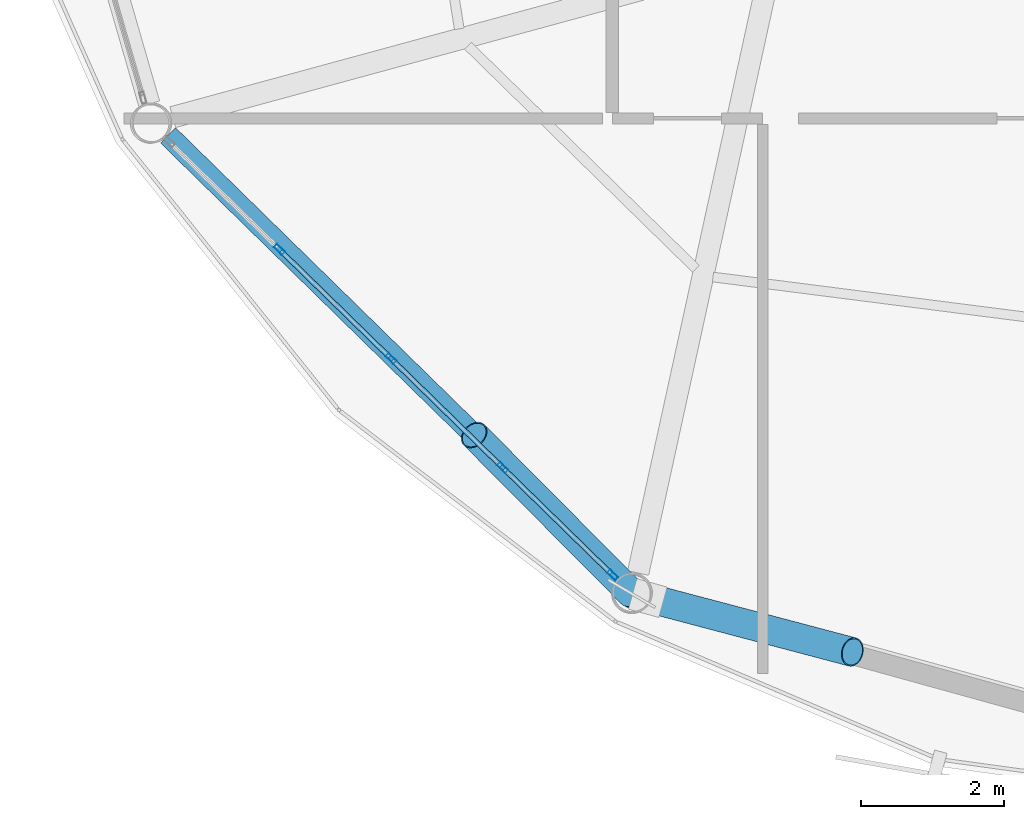
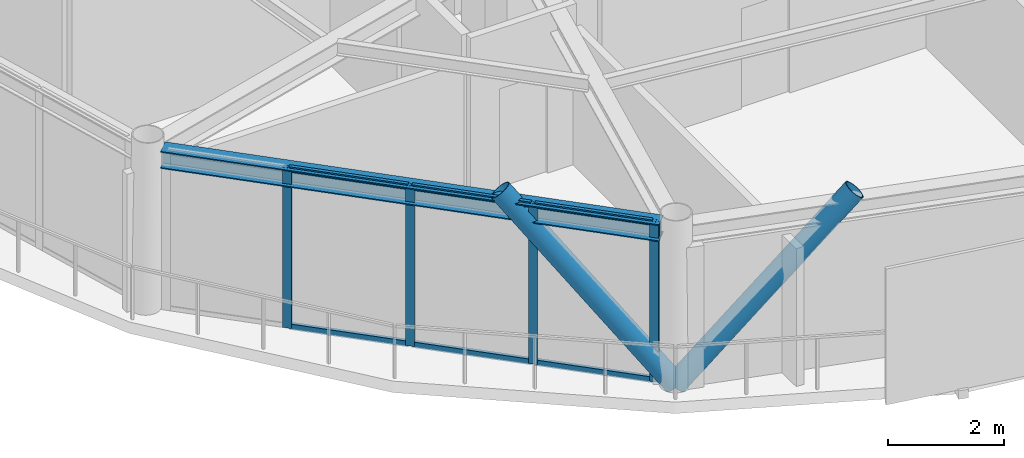
# One storey, part 2 of 27: 12 members, 1 beam, 1 element without a shape of its own.
"""IFC4 building model written with IfcOpenShell, lengths in metres."""

from ifc_helpers import new_model, si_unit, direction, frame, origin, origin_2d, place, context, subcontext, project, spatial, hollow_rectangle, hollow_circle, i_section, extrude, material, layer, layer_set, material_profile, profile_set, type_object, element, aggregate, save


model = new_model("IFC4")

# Units and contexts
model_context = context("Model", 3, precision=1e-05, world=origin(), true_north=direction((0.0, 1.0)))
body_context = subcontext(model_context, "Body", "Model", "MODEL_VIEW")
ifc_project = project(units=[si_unit("LENGTHUNIT", "METRE"), si_unit("AREAUNIT", "SQUARE_METRE"), si_unit("VOLUMEUNIT", "CUBIC_METRE"), si_unit("PLANEANGLEUNIT", "RADIAN"), si_unit("MASSUNIT", "GRAM", prefix="KILO")], contexts=[model_context])

# Site, building, storey
site_placement = place(None, origin())
site = spatial("IfcSite", under=ifc_project, at=site_placement, CompositionType="ELEMENT")
building_placement = place(site_placement, origin())
building = spatial("IfcBuilding", under=site, at=building_placement, Name="Varnakorn Sky Granary", CompositionType="ELEMENT")
storey_placement = place(building_placement, frame((0.0, 0.0, 249.0)))
storey = spatial("IfcBuildingStorey", under=building, at=storey_placement, Name="L63", CompositionType="ELEMENT", Elevation=249.0)

# Beam
ifc_material_1 = material(Name="Steel S355JR", Category="steel")
ifc_material_profile_1 = material_profile(ifc_material_1, i_section(OverallWidth=0.300048828125, OverallDepth=0.360107421875, WebThickness=0.012451171875, FlangeThickness=0.0224609375, at=origin_2d()), Name="HE 360 B")
ifc_profile_set_1 = profile_set([ifc_material_profile_1], Name="Steel S355JR")
beam_type = type_object("IfcBeamType", Name="BM-SPD-Z5", PredefinedType="SPANDREL", material=ifc_profile_set_1)
beam_placement = place(storey_placement, frame((-10.80224609375, -9.136962890625, 3.179931640625), z_axis=(0.714633809089, -0.69949876262, 0.0), x_axis=(0.69949876262, 0.714633809089, 0.0)))
element("IfcBeam", 1, at=beam_placement, inside=storey, type_object=beam_type, Name="Perimeter Spandrel Ring Beam RB08 L63", PredefinedType="SPANDREL", context=body_context, shape_type="SweptSolid", body=[
    extrude(i_section(OverallWidth=0.300048828125, OverallDepth=0.360107421875, WebThickness=0.012451171875, FlangeThickness=0.0224609375, at=origin_2d()), origin(), (0.0, 0.0, 1.0), 8.839599609375),
])

# Curtain wall, members
ifc_material_2 = material(Name="Anodised Bronze Aluminium Alloy 6063-T6", Category="aluminium")
ifc_layer = layer(ifc_material_2, 0.159912109375, Name="Anodised Bronze Aluminium Alloy 6063-T6")
ifc_layer_set = layer_set([ifc_layer], Name="Anodised Bronze Aluminium Alloy 6063-T6")
curtain_wall_type = type_object("IfcCurtainWallType", Name="CW-OFF-1", PredefinedType="USERDEFINED", material=ifc_layer_set)
curtain_wall_placement = place(storey_placement, origin())
curtain_wall = element("IfcCurtainWall", 2, at=curtain_wall_placement, inside=storey, type_object=curtain_wall_type, Name="Unitised Curtain Wall CW6 CW-L63-B08", ObjectType="CURTAIN WALL", PredefinedType="USERDEFINED")
ifc_material_profile_2 = material_profile(ifc_material_2, hollow_rectangle(XDim=0.06494140625, YDim=0.159912109375, WallThickness=0.00341796875, at=origin_2d()), Name="ALU MULL 65x160")
ifc_profile_set_2 = profile_set([ifc_material_profile_2], Name="Anodised Bronze Aluminium Alloy 6063-T6")
member_type_1 = type_object("IfcMemberType", Name="CW-OFF-1-MULL", PredefinedType="MULLION", material=ifc_profile_set_2)
member_1_placement = place(storey_placement, frame((-4.595947265625, -15.27490234375, 0.0), z_axis=(0.0, 0.0, 1.0), x_axis=(-0.698832913663, -0.71528494936, 0.0)))
member_1 = element("IfcMember", 3, at=member_1_placement, type_object=member_type_1, Name="CW6 mullion 1", PredefinedType="MULLION", context=body_context, shape_type="SweptSolid", body=[
    extrude(hollow_rectangle(XDim=0.06494140625, YDim=0.159912109375, WallThickness=0.00341796875, at=origin_2d()), origin(), (0.0, 0.0, 1.0), 3.360107421875),
])
member_2_placement = place(storey_placement, frame((-6.13134765625, -13.774658203125, 0.0), z_axis=(0.0, 0.0, 1.0), x_axis=(-0.698832913663, -0.71528494936, 0.0)))
member_2 = element("IfcMember", 4, at=member_2_placement, type_object=member_type_1, Name="CW6 mullion 2", PredefinedType="MULLION", context=body_context, shape_type="SweptSolid", body=[
    extrude(hollow_rectangle(XDim=0.06494140625, YDim=0.159912109375, WallThickness=0.00341796875, at=origin_2d()), origin(), (0.0, 0.0, 1.0), 3.360107421875),
])
member_3_placement = place(storey_placement, frame((-7.690185546875, -12.251953125, 0.0), z_axis=(0.0, 0.0, 1.0), x_axis=(-0.698832913663, -0.71528494936, 0.0)))
member_3 = element("IfcMember", 5, at=member_3_placement, type_object=member_type_1, Name="CW6 mullion 3", PredefinedType="MULLION", context=body_context, shape_type="SweptSolid", body=[
    extrude(hollow_rectangle(XDim=0.06494140625, YDim=0.159912109375, WallThickness=0.00341796875, at=origin_2d()), origin(), (0.0, 0.0, 1.0), 3.360107421875),
])
member_4_placement = place(storey_placement, frame((-9.248779296875, -10.72900390625, 0.0), z_axis=(0.0, 0.0, 1.0), x_axis=(-0.698832913663, -0.71528494936, 0.0)))
member_4 = element("IfcMember", 6, at=member_4_placement, type_object=member_type_1, Name="CW6 mullion 4", PredefinedType="MULLION", context=body_context, shape_type="SweptSolid", body=[
    extrude(hollow_rectangle(XDim=0.06494140625, YDim=0.159912109375, WallThickness=0.00341796875, at=origin_2d()), origin(), (0.0, 0.0, 1.0), 3.360107421875),
])
ifc_material_profile_3 = material_profile(ifc_material_2, hollow_rectangle(XDim=0.06494140625, YDim=0.1201171875, WallThickness=0.00341796875, at=origin_2d()), Name="ALU TRAN 65x120")
ifc_profile_set_3 = profile_set([ifc_material_profile_3], Name="Anodised Bronze Aluminium Alloy 6063-T6")
member_type_2 = type_object("IfcMemberType", Name="CW-OFF-1-TRAN", PredefinedType="USERDEFINED", material=ifc_profile_set_3)
member_5_placement = place(storey_placement, frame((-4.619384765625, -15.252197265625, 0.032470703125), z_axis=(-0.715211185999, 0.698908405603, 0.0), x_axis=(-0.698908405603, -0.715211185999, 0.0)))
member_5 = element("IfcMember", 7, at=member_5_placement, type_object=member_type_2, Name="CW6 transom 1.1", ObjectType="TRANSOM", PredefinedType="USERDEFINED", context=body_context, shape_type="SweptSolid", body=[
    extrude(hollow_rectangle(XDim=0.06494140625, YDim=0.1201171875, WallThickness=0.00341796875, at=origin_2d()), origin(), (0.0, 0.0, 1.0), 2.08154296875),
])
member_6_placement = place(storey_placement, frame((-4.619384765625, -15.252197265625, 3.327392578125), z_axis=(-0.715211185999, 0.698908405603, 0.0), x_axis=(-0.698908405603, -0.715211185999, 0.0)))
member_6 = element("IfcMember", 8, at=member_6_placement, type_object=member_type_2, Name="CW6 transom 1.2", ObjectType="TRANSOM", PredefinedType="USERDEFINED", context=body_context, shape_type="SweptSolid", body=[
    extrude(hollow_rectangle(XDim=0.06494140625, YDim=0.1201171875, WallThickness=0.00341796875, at=origin_2d()), origin(), (0.0, 0.0, 1.0), 2.08154296875),
])
member_7_placement = place(storey_placement, frame((-6.15478515625, -13.751953125, 0.032470703125), z_axis=(-0.715259363774, 0.69885910063, 0.0), x_axis=(-0.69885910063, -0.715259363774, 0.0)))
member_7 = element("IfcMember", 9, at=member_7_placement, type_object=member_type_2, Name="CW6 transom 2.1", ObjectType="TRANSOM", PredefinedType="USERDEFINED", context=body_context, shape_type="SweptSolid", body=[
    extrude(hollow_rectangle(XDim=0.06494140625, YDim=0.1201171875, WallThickness=0.00341796875, at=origin_2d()), origin(), (0.0, 0.0, 1.0), 2.11376953125),
])
member_8_placement = place(storey_placement, frame((-6.15478515625, -13.751953125, 3.327392578125), z_axis=(-0.715259363774, 0.69885910063, 0.0), x_axis=(-0.69885910063, -0.715259363774, 0.0)))
member_8 = element("IfcMember", 10, at=member_8_placement, type_object=member_type_2, Name="CW6 transom 2.2", ObjectType="TRANSOM", PredefinedType="USERDEFINED", context=body_context, shape_type="SweptSolid", body=[
    extrude(hollow_rectangle(XDim=0.06494140625, YDim=0.1201171875, WallThickness=0.00341796875, at=origin_2d()), origin(), (0.0, 0.0, 1.0), 2.11376953125),
])
member_9_placement = place(storey_placement, frame((-7.71337890625, -12.229248046875, 0.032470703125), z_axis=(-0.715258040249, 0.698860455212, 0.0), x_axis=(-0.698860455212, -0.715258040249, 0.0)))
member_9 = element("IfcMember", 11, at=member_9_placement, type_object=member_type_2, Name="CW6 transom 3.1", ObjectType="TRANSOM", PredefinedType="USERDEFINED", context=body_context, shape_type="SweptSolid", body=[
    extrude(hollow_rectangle(XDim=0.06494140625, YDim=0.1201171875, WallThickness=0.00341796875, at=origin_2d()), origin(), (0.0, 0.0, 1.0), 2.1142578125),
])
member_10_placement = place(storey_placement, frame((-7.71337890625, -12.229248046875, 3.327392578125), z_axis=(-0.715258040249, 0.698860455212, 0.0), x_axis=(-0.698860455212, -0.715258040249, 0.0)))
member_10 = element("IfcMember", 12, at=member_10_placement, type_object=member_type_2, Name="CW6 transom 3.2", ObjectType="TRANSOM", PredefinedType="USERDEFINED", context=body_context, shape_type="SweptSolid", body=[
    extrude(hollow_rectangle(XDim=0.06494140625, YDim=0.1201171875, WallThickness=0.00341796875, at=origin_2d()), origin(), (0.0, 0.0, 1.0), 2.1142578125),
])
aggregate(curtain_wall, [member_1, member_2, member_3, member_4, member_5, member_6, member_7, member_8, member_9, member_10])

# Members
ifc_material_3 = material(Name="Steel S460M", Category="steel")
ifc_material_profile_4 = material_profile(ifc_material_3, hollow_circle(Radius=0.203125, WallThickness=0.01611328125, at=origin_2d()), Name="CHS 406.4x16")
ifc_profile_set_4 = profile_set([ifc_material_profile_4], Name="Steel S460M")
member_type_3 = type_object("IfcMemberType", Name="MB-DIAG-T4", PredefinedType="BRACE", material=ifc_profile_set_4)
member_11_placement = place(storey_placement, frame((-4.330078125, -15.534912109375, 0.0), z_axis=(-0.469497906983, 0.47299228154, 0.745553497036), x_axis=(-0.709723570726, -0.704480271659, 0.0)))
element("IfcMember", 13, at=member_11_placement, inside=storey, type_object=member_type_3, Name="Perimeter CHS Diagrid Brace DG08 L63", PredefinedType="BRACE", context=body_context, shape_type="SweptSolid", body=[
    extrude(hollow_circle(Radius=0.203125, WallThickness=0.01611328125, at=origin_2d()), origin(), (0.0, 0.0, 1.0), 4.68115234375),
])
member_12_placement = place(storey_placement, frame((-4.330078125, -15.534912109375, 0.0), z_axis=(0.652115997079, -0.17238957775, 0.738259141384), x_axis=(0.25557477289, 0.966789292174, 0.0)))
element("IfcMember", 14, at=member_12_placement, inside=storey, type_object=member_type_3, Name="Perimeter CHS Diagrid Brace DG09 L63", PredefinedType="BRACE", context=body_context, shape_type="SweptSolid", body=[
    extrude(hollow_circle(Radius=0.203125, WallThickness=0.01611328125, at=origin_2d()), origin(), (0.0, 0.0, 1.0), 4.727294921875),
])

save(model, "model.ifc")
